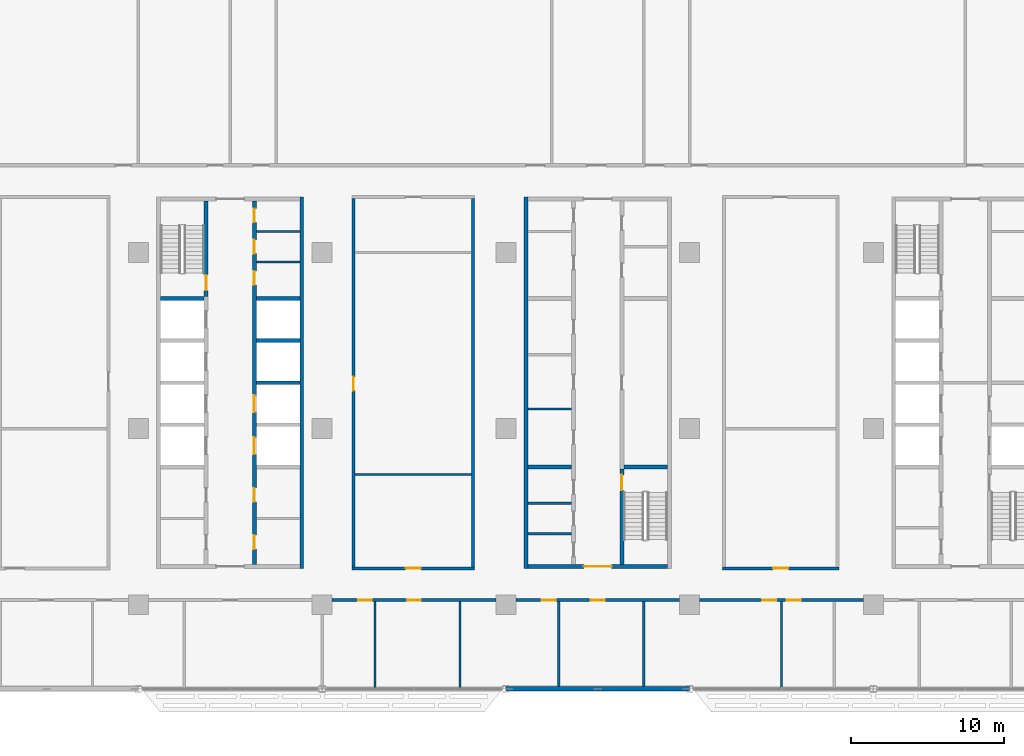
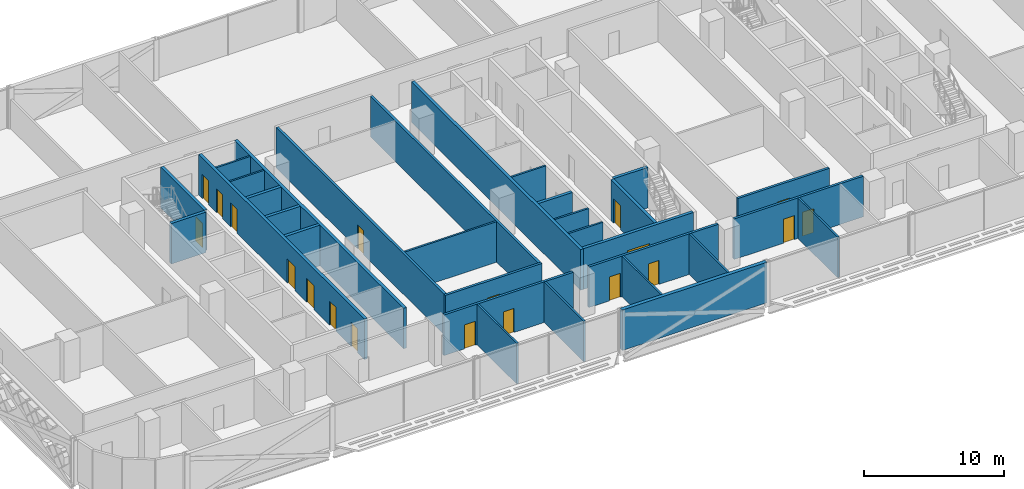
# One storey, part 14 of 29: 31 walls, 19 doors, 19 openings.
"""IFC4 building model written with IfcOpenShell, lengths in metres."""

from ifc_helpers import new_model, si_unit, direction, frame, frame_2d, origin, place, context, subcontext, project, spatial, rectangle, extrude, material, layer, layer_set, type_object, element, fill, save


model = new_model("IFC4")

# Units and contexts
model_context = context("Model", 3, precision=1e-05, world=origin(), true_north=direction((0.0, 1.0)))
body_context = subcontext(model_context, "Body", "Model", "MODEL_VIEW")
ifc_project = project(units=[si_unit("LENGTHUNIT", "METRE"), si_unit("AREAUNIT", "SQUARE_METRE"), si_unit("VOLUMEUNIT", "CUBIC_METRE"), si_unit("PLANEANGLEUNIT", "RADIAN"), si_unit("MASSUNIT", "GRAM", prefix="KILO")], contexts=[model_context])

# Site, building, storey
site_placement = place(None, origin())
site = spatial("IfcSite", under=ifc_project, at=site_placement, CompositionType="ELEMENT")
building_placement = place(site_placement, origin())
building = spatial("IfcBuilding", under=site, at=building_placement, Name="Mahtab Terrace Research Tower", CompositionType="ELEMENT")
storey_placement = place(building_placement, frame((0.0, 0.0, 150.699951171875)))
storey = spatial("IfcBuildingStorey", under=building, at=storey_placement, Name="L35", CompositionType="ELEMENT", Elevation=150.699951171875)

# Walls
ifc_material_1 = material(Name="Gypsum board partition")
ifc_layer_1 = layer(ifc_material_1, 0.14990234375)
ifc_layer_set_1 = layer_set([ifc_layer_1], Name="Core partition 150")
wall_type_1 = type_object("IfcWallType", Name="Core partition 150", PredefinedType="PARTITIONING", material=ifc_layer_set_1)
for number, where, z_axis, x_axis, name in (
    (1, (-22.300048828125, 10.875, 0.0), (0.0, 0.0, 1.0), (1.0, 0.0, 0.0), "Core wall A pEN788"),
    (2, (-22.300048828125, 12.875, 0.0), (0.0, 0.0, 1.0), (1.0, 0.0, 0.0), "Core wall A pEN988"),
    (3, (-4.550048828125, 1.280029296875, 0.0), (0.0, 0.0, 1.0), (1.0, 0.0, 0.0), "Core wall B pWL-172"),
    (4, (-4.550048828125, -6.875, 0.0), (0.0, 0.0, 1.0), (1.0, 0.0, 0.0), "Core wall B pWS-988"),
    (5, (-4.550048828125, -4.875, 0.0), (0.0, 0.0, 1.0), (1.0, 0.0, 0.0), "Core wall B pWS-788"),
):
    element("IfcWall", number, at=place(storey_placement, frame(where, z_axis=z_axis, x_axis=x_axis)), inside=storey, type_object=wall_type_1, Name=name, PredefinedType="PARTITIONING", context=body_context, shape_type="SweptSolid", body=[
        extrude(rectangle(XDim=2.85009765625, YDim=0.14990234375, at=frame_2d((1.425048828125, 0.0))), origin(), (0.0, 0.0, 1.0), 3.550048828125),
    ])
ifc_material_2 = material(Name="Concrete C70/85", Category="concrete")
ifc_layer_2 = layer(ifc_material_2, 0.25)
ifc_layer_set_2 = layer_set([ifc_layer_2], Name="Core wall 250")
wall_type_2 = type_object("IfcWallType", Name="Core wall 250", PredefinedType="SOLIDWALL", material=ifc_layer_set_2)
wall_1_placement = place(storey_placement, frame((-19.324951171875, -9.125, 0.0), z_axis=(0.0, 0.0, 1.0), x_axis=(0.0, 1.0, 0.0)))
element("IfcWall", 6, at=wall_1_placement, inside=storey, type_object=wall_type_2, Name="Core wall A outerE", PredefinedType="SOLIDWALL", context=body_context, shape_type="SweptSolid", body=[
    extrude(rectangle(XDim=24.25, YDim=0.25, at=frame_2d((12.125, 0.0))), origin(), (0.0, 0.0, 1.0), 3.550048828125),
])

# Wall, opening, door
wall_2_placement = place(storey_placement, frame((-25.574951171875, 14.875, 0.0), z_axis=(0.0, 0.0, 1.0), x_axis=(0.0, -1.0, 0.0)))
wall_2 = element("IfcWall", 7, at=wall_2_placement, inside=storey, type_object=wall_type_2, Name="Core wall A innerWN", PredefinedType="SOLIDWALL", context=body_context, shape_type="SweptSolid", body=[
    extrude(rectangle(XDim=6.25, YDim=0.25, at=frame_2d((3.125, 0.0))), origin(), (0.0, 0.0, 1.0), 3.550048828125),
])
opening_1_placement = place(wall_2_placement, frame((4.85009765625, 0.0, 0.0)))
opening_1 = element("IfcOpeningElement", 8, at=opening_1_placement, cuts=wall_2, Name="Opening A-ST1", PredefinedType="OPENING", context=body_context, shape_type="SweptSolid", body=[
    extrude(rectangle(XDim=1.0, YDim=2.10009765625, at=frame_2d((0.5, 1.050048828125))), frame((0.0, 0.135009765625, 0.0), z_axis=(0.0, -1.0, 0.0), x_axis=(1.0, 0.0, 0.0)), (0.0, 0.0, 1.0), 0.27001953125),
])
ifc_material_3 = material(Name="Steel fire door", Category="steel")
door_type_1 = type_object("IfcDoorType", Name="Stair door 1000x2100 1.5 HR", OperationType="NOTDEFINED", PredefinedType="DOOR", material=ifc_material_3)
door_1_placement = place(opening_1_placement, origin())
door_1 = element("IfcDoor", 9, at=door_1_placement, inside=storey, type_object=door_type_1, Name="Stair door ST1 L35", OperationType="SINGLE_SWING_RIGHT", OverallHeight=2.10009765625, OverallWidth=1.0, PredefinedType="DOOR", context=body_context, shape_type="SweptSolid", body=[
    extrude(rectangle(XDim=1.0, YDim=2.10009765625, at=frame_2d((0.5, 1.050048828125))), frame((0.0, 0.02490234375, 0.0), z_axis=(0.0, -1.0, 0.0), x_axis=(1.0, 0.0, 0.0)), (0.0, 0.0, 1.0), 0.050048828125),
])
fill(opening_1, door_1)

# Wall, openings, doors
wall_3_placement = place(storey_placement, frame((-22.425048828125, 14.875, 0.0), z_axis=(0.0, 0.0, 1.0), x_axis=(0.0, -1.0, 0.0)))
wall_3 = element("IfcWall", 10, at=wall_3_placement, inside=storey, type_object=wall_type_2, Name="Core wall A innerESLN", PredefinedType="SOLIDWALL", context=body_context, shape_type="SweptSolid", body=[
    extrude(rectangle(XDim=23.75, YDim=0.25, at=frame_2d((11.875, 0.0))), origin(), (0.0, 0.0, 1.0), 3.550048828125),
])
opening_2_placement = place(wall_3_placement, frame((15.449951171875, 0.0, 0.0)))
opening_2 = element("IfcOpeningElement", 11, at=opening_2_placement, cuts=wall_3, Name="Opening LD05-L35", PredefinedType="OPENING", context=body_context, shape_type="SweptSolid", body=[
    extrude(rectangle(XDim=1.10009765625, YDim=2.10009765625, at=frame_2d((0.550048828125, 1.050048828125))), frame((0.0, 0.135009765625, 0.0), z_axis=(0.0, -1.0, 0.0), x_axis=(1.0, 0.0, 0.0)), (0.0, 0.0, 1.0), 0.27001953125),
])
opening_3_placement = place(wall_3_placement, frame((12.699951171875, 0.0, 0.0)))
opening_3 = element("IfcOpeningElement", 12, at=opening_3_placement, cuts=wall_3, Name="Opening LD06-L35", PredefinedType="OPENING", context=body_context, shape_type="SweptSolid", body=[
    extrude(rectangle(XDim=1.10009765625, YDim=2.10009765625, at=frame_2d((0.550048828125, 1.050048828125))), frame((0.0, 0.135009765625, 0.0), z_axis=(0.0, -1.0, 0.0), x_axis=(1.0, 0.0, 0.0)), (0.0, 0.0, 1.0), 0.27001953125),
])
opening_4_placement = place(wall_3_placement, frame((21.83740234375, 0.0, 0.0)))
opening_4 = element("IfcOpeningElement", 13, at=opening_4_placement, cuts=wall_3, Name="Opening A-R3", PredefinedType="OPENING", context=body_context, shape_type="SweptSolid", body=[
    extrude(rectangle(XDim=0.89990234375, YDim=2.10009765625, at=frame_2d((0.449951171875, 1.050048828125))), frame((0.0, 0.135009765625, 0.0), z_axis=(0.0, -1.0, 0.0), x_axis=(1.0, 0.0, 0.0)), (0.0, 0.0, 1.0), 0.27001953125),
])
opening_5_placement = place(wall_3_placement, frame((18.762451171875, 0.0, 0.0)))
opening_5 = element("IfcOpeningElement", 14, at=opening_5_placement, cuts=wall_3, Name="Opening A-R4", PredefinedType="OPENING", context=body_context, shape_type="SweptSolid", body=[
    extrude(rectangle(XDim=0.89990234375, YDim=2.10009765625, at=frame_2d((0.449951171875, 1.050048828125))), frame((0.0, 0.135009765625, 0.0), z_axis=(0.0, -1.0, 0.0), x_axis=(1.0, 0.0, 0.0)), (0.0, 0.0, 1.0), 0.27001953125),
])
opening_6_placement = place(wall_3_placement, frame((4.58740234375, 0.0, 0.0)))
opening_6 = element("IfcOpeningElement", 15, at=opening_6_placement, cuts=wall_3, Name="Opening A-R5", PredefinedType="OPENING", context=body_context, shape_type="SweptSolid", body=[
    extrude(rectangle(XDim=0.89990234375, YDim=2.10009765625, at=frame_2d((0.449951171875, 1.050048828125))), frame((0.0, 0.135009765625, 0.0), z_axis=(0.0, -1.0, 0.0), x_axis=(1.0, 0.0, 0.0)), (0.0, 0.0, 1.0), 0.27001953125),
])
opening_7_placement = place(wall_3_placement, frame((2.550048828125, 0.0, 0.0)))
opening_7 = element("IfcOpeningElement", 16, at=opening_7_placement, cuts=wall_3, Name="Opening A-R6", PredefinedType="OPENING", context=body_context, shape_type="SweptSolid", body=[
    extrude(rectangle(XDim=0.89990234375, YDim=2.10009765625, at=frame_2d((0.449951171875, 1.050048828125))), frame((0.0, 0.135009765625, 0.0), z_axis=(0.0, -1.0, 0.0), x_axis=(1.0, 0.0, 0.0)), (0.0, 0.0, 1.0), 0.27001953125),
])
opening_8_placement = place(wall_3_placement, frame((0.512451171875, 0.0, 0.0)))
opening_8 = element("IfcOpeningElement", 17, at=opening_8_placement, cuts=wall_3, Name="Opening A-R7", PredefinedType="OPENING", context=body_context, shape_type="SweptSolid", body=[
    extrude(rectangle(XDim=0.89990234375, YDim=2.10009765625, at=frame_2d((0.449951171875, 1.050048828125))), frame((0.0, 0.135009765625, 0.0), z_axis=(0.0, -1.0, 0.0), x_axis=(1.0, 0.0, 0.0)), (0.0, 0.0, 1.0), 0.27001953125),
])
ifc_material_4 = material(Name="Stainless steel AISI 304", Category="steel")
door_type_2 = type_object("IfcDoorType", Name="Landing door 1100x2100", OperationType="DOUBLE_DOOR_SLIDING", PredefinedType="DOOR", material=ifc_material_4)
door_2_placement = place(opening_2_placement, origin())
door_2 = element("IfcDoor", 18, at=door_2_placement, inside=storey, type_object=door_type_2, Name="Landing door LR5 L35", OperationType="DOUBLE_DOOR_SLIDING", OverallHeight=2.10009765625, OverallWidth=1.10009765625, PredefinedType="DOOR", context=body_context, shape_type="SweptSolid", body=[
    extrude(rectangle(XDim=1.10009765625, YDim=2.10009765625, at=frame_2d((0.550048828125, 1.050048828125))), frame((0.0, 0.02490234375, 0.0), z_axis=(0.0, -1.0, 0.0), x_axis=(1.0, 0.0, 0.0)), (0.0, 0.0, 1.0), 0.050048828125),
])
fill(opening_2, door_2)
door_3_placement = place(opening_3_placement, origin())
door_3 = element("IfcDoor", 19, at=door_3_placement, inside=storey, type_object=door_type_2, Name="Landing door LR6 L35", OperationType="DOUBLE_DOOR_SLIDING", OverallHeight=2.10009765625, OverallWidth=1.10009765625, PredefinedType="DOOR", context=body_context, shape_type="SweptSolid", body=[
    extrude(rectangle(XDim=1.10009765625, YDim=2.10009765625, at=frame_2d((0.550048828125, 1.050048828125))), frame((0.0, 0.02490234375, 0.0), z_axis=(0.0, -1.0, 0.0), x_axis=(1.0, 0.0, 0.0)), (0.0, 0.0, 1.0), 0.050048828125),
])
fill(opening_3, door_3)
door_type_3 = type_object("IfcDoorType", Name="Room door 900x2100 1 HR", OperationType="NOTDEFINED", PredefinedType="DOOR", material=ifc_material_3)
door_4_placement = place(opening_4_placement, origin())
door_4 = element("IfcDoor", 20, at=door_4_placement, inside=storey, type_object=door_type_3, Name="Housekeeping store door", OperationType="SINGLE_SWING_LEFT", OverallHeight=2.10009765625, OverallWidth=0.89990234375, PredefinedType="DOOR", context=body_context, shape_type="SweptSolid", body=[
    extrude(rectangle(XDim=0.89990234375, YDim=2.10009765625, at=frame_2d((0.449951171875, 1.050048828125))), frame((0.0, 0.02490234375, 0.0), z_axis=(0.0, -1.0, 0.0), x_axis=(1.0, 0.0, 0.0)), (0.0, 0.0, 1.0), 0.050048828125),
])
fill(opening_4, door_4)
door_5_placement = place(opening_5_placement, origin())
door_5 = element("IfcDoor", 21, at=door_5_placement, inside=storey, type_object=door_type_3, Name="Electrical riser room door", OperationType="SINGLE_SWING_RIGHT", OverallHeight=2.10009765625, OverallWidth=0.89990234375, PredefinedType="DOOR", context=body_context, shape_type="SweptSolid", body=[
    extrude(rectangle(XDim=0.89990234375, YDim=2.10009765625, at=frame_2d((0.449951171875, 1.050048828125))), frame((0.0, 0.02490234375, 0.0), z_axis=(0.0, -1.0, 0.0), x_axis=(1.0, 0.0, 0.0)), (0.0, 0.0, 1.0), 0.050048828125),
])
fill(opening_5, door_5)
door_6_placement = place(opening_6_placement, origin())
door_6 = element("IfcDoor", 22, at=door_6_placement, inside=storey, type_object=door_type_3, Name="Comms riser room door", OperationType="SINGLE_SWING_LEFT", OverallHeight=2.10009765625, OverallWidth=0.89990234375, PredefinedType="DOOR", context=body_context, shape_type="SweptSolid", body=[
    extrude(rectangle(XDim=0.89990234375, YDim=2.10009765625, at=frame_2d((0.449951171875, 1.050048828125))), frame((0.0, 0.02490234375, 0.0), z_axis=(0.0, -1.0, 0.0), x_axis=(1.0, 0.0, 0.0)), (0.0, 0.0, 1.0), 0.050048828125),
])
fill(opening_6, door_6)
door_7_placement = place(opening_7_placement, origin())
door_7 = element("IfcDoor", 23, at=door_7_placement, inside=storey, type_object=door_type_3, Name="Pantry door", OperationType="SINGLE_SWING_RIGHT", OverallHeight=2.10009765625, OverallWidth=0.89990234375, PredefinedType="DOOR", context=body_context, shape_type="SweptSolid", body=[
    extrude(rectangle(XDim=0.89990234375, YDim=2.10009765625, at=frame_2d((0.449951171875, 1.050048828125))), frame((0.0, 0.02490234375, 0.0), z_axis=(0.0, -1.0, 0.0), x_axis=(1.0, 0.0, 0.0)), (0.0, 0.0, 1.0), 0.050048828125),
])
fill(opening_7, door_7)
door_8_placement = place(opening_8_placement, origin())
door_8 = element("IfcDoor", 24, at=door_8_placement, inside=storey, type_object=door_type_3, Name="Cleaners store door", OperationType="SINGLE_SWING_LEFT", OverallHeight=2.10009765625, OverallWidth=0.89990234375, PredefinedType="DOOR", context=body_context, shape_type="SweptSolid", body=[
    extrude(rectangle(XDim=0.89990234375, YDim=2.10009765625, at=frame_2d((0.449951171875, 1.050048828125))), frame((0.0, 0.02490234375, 0.0), z_axis=(0.0, -1.0, 0.0), x_axis=(1.0, 0.0, 0.0)), (0.0, 0.0, 1.0), 0.050048828125),
])
fill(opening_8, door_8)

# Walls
for number, where, z_axis, x_axis, name in (
    (25, (-28.550048828125, 8.5, 0.0), (0.0, 0.0, 1.0), (1.0, 0.0, 0.0), "Core wall A divW4"),
    (26, (-22.300048828125, 3.0, 0.0), (0.0, 0.0, 1.0), (1.0, 0.0, 0.0), "Core wall A divE2"),
    (27, (-22.300048828125, 5.75, 0.0), (0.0, 0.0, 1.0), (1.0, 0.0, 0.0), "Core wall A divE3"),
    (28, (-22.300048828125, 8.5, 0.0), (0.0, 0.0, 1.0), (1.0, 0.0, 0.0), "Core wall A divE4"),
):
    element("IfcWall", number, at=place(storey_placement, frame(where, z_axis=z_axis, x_axis=x_axis)), inside=storey, type_object=wall_type_2, Name=name, PredefinedType="SOLIDWALL", context=body_context, shape_type="SweptSolid", body=[
        extrude(rectangle(XDim=2.85009765625, YDim=0.25, at=frame_2d((1.425048828125, 0.0))), origin(), (0.0, 0.0, 1.0), 3.550048828125),
    ])
wall_4_placement = place(storey_placement, frame((-4.675048828125, 15.125, 0.0), z_axis=(0.0, 0.0, 1.0), x_axis=(0.0, -1.0, 0.0)))
element("IfcWall", 29, at=wall_4_placement, inside=storey, type_object=wall_type_2, Name="Core wall B outerW", PredefinedType="SOLIDWALL", context=body_context, shape_type="SweptSolid", body=[
    extrude(rectangle(XDim=24.25, YDim=0.25, at=frame_2d((12.125, 0.0))), origin(), (0.0, 0.0, 1.0), 3.550048828125),
])

# Wall, opening, door
wall_5_placement = place(storey_placement, frame((4.550048828125, -9.0, 0.0), z_axis=(0.0, 0.0, 1.0), x_axis=(-1.0, 0.0, 0.0)))
wall_5 = element("IfcWall", 30, at=wall_5_placement, inside=storey, type_object=wall_type_2, Name="Core wall B endS", PredefinedType="SOLIDWALL", context=body_context, shape_type="SweptSolid", body=[
    extrude(rectangle(XDim=9.10009765625, YDim=0.25, at=frame_2d((4.550048828125, 0.0))), origin(), (0.0, 0.0, 1.0), 3.550048828125),
])
opening_9_placement = place(wall_5_placement, frame((3.64990234375, 0.0, 0.0)))
opening_9 = element("IfcOpeningElement", 31, at=opening_9_placement, cuts=wall_5, Name="Opening B-S1", PredefinedType="OPENING", context=body_context, shape_type="SweptSolid", body=[
    extrude(rectangle(XDim=1.800048828125, YDim=2.10009765625, at=frame_2d((0.89990234375, 1.050048828125))), frame((0.0, 0.135009765625, 0.0), z_axis=(0.0, -1.0, 0.0), x_axis=(1.0, 0.0, 0.0)), (0.0, 0.0, 1.0), 0.27001953125),
])
door_type_4 = type_object("IfcDoorType", Name="Lobby double door 1800x2100 1 HR", OperationType="DOUBLE_DOOR_SINGLE_SWING", PredefinedType="DOOR", material=ifc_material_3)
door_9_placement = place(opening_9_placement, origin())
door_9 = element("IfcDoor", 32, at=door_9_placement, inside=storey, type_object=door_type_4, Name="Core entrance door B S", OperationType="DOUBLE_DOOR_SINGLE_SWING", OverallHeight=2.10009765625, OverallWidth=1.800048828125, PredefinedType="DOOR", context=body_context, shape_type="SweptSolid", body=[
    extrude(rectangle(XDim=1.800048828125, YDim=2.10009765625, at=frame_2d((0.89990234375, 1.050048828125))), frame((0.0, 0.02490234375, 0.0), z_axis=(0.0, -1.0, 0.0), x_axis=(1.0, 0.0, 0.0)), (0.0, 0.0, 1.0), 0.050048828125),
])
fill(opening_9, door_9)

wall_6_placement = place(storey_placement, frame((1.574951171875, -8.875, 0.0), z_axis=(0.0, 0.0, 1.0), x_axis=(0.0, 1.0, 0.0)))
wall_6 = element("IfcWall", 33, at=wall_6_placement, inside=storey, type_object=wall_type_2, Name="Core wall B innerES", PredefinedType="SOLIDWALL", context=body_context, shape_type="SweptSolid", body=[
    extrude(rectangle(XDim=6.25, YDim=0.25, at=frame_2d((3.125, 0.0))), origin(), (0.0, 0.0, 1.0), 3.550048828125),
])
opening_10_placement = place(wall_6_placement, frame((4.85009765625, 0.0, 0.0)))
opening_10 = element("IfcOpeningElement", 34, at=opening_10_placement, cuts=wall_6, Name="Opening B-ST2", PredefinedType="OPENING", context=body_context, shape_type="SweptSolid", body=[
    extrude(rectangle(XDim=1.0, YDim=2.10009765625, at=frame_2d((0.5, 1.050048828125))), frame((0.0, 0.135009765625, 0.0), z_axis=(0.0, -1.0, 0.0), x_axis=(1.0, 0.0, 0.0)), (0.0, 0.0, 1.0), 0.27001953125),
])
door_10_placement = place(opening_10_placement, origin())
door_10 = element("IfcDoor", 35, at=door_10_placement, inside=storey, type_object=door_type_1, Name="Stair door ST2 L35", OperationType="SINGLE_SWING_RIGHT", OverallHeight=2.10009765625, OverallWidth=1.0, PredefinedType="DOOR", context=body_context, shape_type="SweptSolid", body=[
    extrude(rectangle(XDim=1.0, YDim=2.10009765625, at=frame_2d((0.5, 1.050048828125))), frame((0.0, 0.02490234375, 0.0), z_axis=(0.0, -1.0, 0.0), x_axis=(1.0, 0.0, 0.0)), (0.0, 0.0, 1.0), 0.050048828125),
])
fill(opening_10, door_10)

# Walls
for number, where, z_axis, x_axis, name in (
    (36, (-4.550048828125, -2.5, 0.0), (0.0, 0.0, 1.0), (1.0, 0.0, 0.0), "Core wall B divW0"),
    (37, (1.699951171875, -2.5, 0.0), (0.0, 0.0, 1.0), (1.0, 0.0, 0.0), "Core wall B divE0"),
):
    element("IfcWall", number, at=place(storey_placement, frame(where, z_axis=z_axis, x_axis=x_axis)), inside=storey, type_object=wall_type_2, Name=name, PredefinedType="SOLIDWALL", context=body_context, shape_type="SweptSolid", body=[
        extrude(rectangle(XDim=2.85009765625, YDim=0.25, at=frame_2d((1.425048828125, 0.0))), origin(), (0.0, 0.0, 1.0), 3.550048828125),
    ])
ifc_material_5 = material(Name="Black aluminium cladding panel", Category="aluminium")
ifc_layer_3 = layer(ifc_material_5, 0.300048828125)
ifc_layer_set_3 = layer_set([ifc_layer_3], Name="Opaque facade wall 300")
wall_type_3 = type_object("IfcWallType", Name="Opaque facade wall 300", PredefinedType="NOTDEFINED", material=ifc_layer_set_3)
wall_7_placement = place(storey_placement, frame((-5.982177734375, -17.0, 0.0), z_axis=(0.0, 0.0, 1.0), x_axis=(1.0, 0.0, 0.0)))
element("IfcWall", 38, at=wall_7_placement, inside=storey, type_object=wall_type_3, Name="Opaque facade wall L35 S27", PredefinedType="NOTDEFINED", context=body_context, shape_type="SweptSolid", body=[
    extrude(rectangle(XDim=11.96435546875, YDim=0.300048828125, at=frame_2d((5.982177734375, 0.0))), origin(), (0.0, 0.0, 1.0), 3.550048828125),
])

# Wall, openings, doors
ifc_material_6 = material(Name="Gypsum board corridor wall on steel studs", Category="steel")
ifc_layer_4 = layer(ifc_material_6, 0.199951171875)
ifc_layer_set_4 = layer_set([ifc_layer_4], Name="WALL CORRIDOR 200")
wall_type_4 = type_object("IfcWallType", Name="WALL CORRIDOR 200", PredefinedType="PARTITIONING", material=ifc_layer_set_4)
wall_8_placement = place(storey_placement, frame((-17.35009765625, -11.199951171875, 0.0), z_axis=(0.0, 0.0, 1.0), x_axis=(1.0, 0.0, 0.0)))
wall_8 = element("IfcWall", 39, at=wall_8_placement, inside=storey, type_object=wall_type_4, Name="L35-W004", PredefinedType="PARTITIONING", context=body_context, shape_type="SweptSolid", body=[
    extrude(rectangle(XDim=10.7001953125, YDim=0.199951171875, at=frame_2d((5.35009765625, 0.0))), origin(), (0.0, 0.0, 1.0), 3.550048828125),
])
opening_11_placement = place(wall_8_placement, frame((1.699951171875, 0.0, 0.0)))
opening_11 = element("IfcOpeningElement", 40, at=opening_11_placement, cuts=wall_8, Name="Opening L35-105", PredefinedType="OPENING", context=body_context, shape_type="SweptSolid", body=[
    extrude(rectangle(XDim=0.89990234375, YDim=2.10009765625, at=frame_2d((0.449951171875, 1.050048828125))), frame((0.0, 0.10986328125, 0.0), z_axis=(0.0, -1.0, 0.0), x_axis=(1.0, 0.0, 0.0)), (0.0, 0.0, 1.0), 0.219970703125),
])
opening_12_placement = place(wall_8_placement, frame((4.89990234375, 0.0, 0.0)))
opening_12 = element("IfcOpeningElement", 41, at=opening_12_placement, cuts=wall_8, Name="Opening L35-106", PredefinedType="OPENING", context=body_context, shape_type="SweptSolid", body=[
    extrude(rectangle(XDim=0.89990234375, YDim=2.10009765625, at=frame_2d((0.449951171875, 1.050048828125))), frame((0.0, 0.10986328125, 0.0), z_axis=(0.0, -1.0, 0.0), x_axis=(1.0, 0.0, 0.0)), (0.0, 0.0, 1.0), 0.219970703125),
])
ifc_material_7 = material(Name="Timber door leaf in steel frame", Category="steel")
door_type_5 = type_object("IfcDoorType", Name="DOOR 0900X2100 FD30S", OperationType="SINGLE_SWING_LEFT", PredefinedType="DOOR", material=ifc_material_7)
door_11_placement = place(opening_11_placement, origin())
door_11 = element("IfcDoor", 42, at=door_11_placement, inside=storey, type_object=door_type_5, Name="Door L35-105", OperationType="SINGLE_SWING_RIGHT", OverallHeight=2.10009765625, OverallWidth=0.89990234375, PredefinedType="DOOR", context=body_context, shape_type="SweptSolid", body=[
    extrude(rectangle(XDim=0.89990234375, YDim=2.10009765625, at=frame_2d((0.449951171875, 1.050048828125))), frame((0.0, 0.02490234375, 0.0), z_axis=(0.0, -1.0, 0.0), x_axis=(1.0, 0.0, 0.0)), (0.0, 0.0, 1.0), 0.050048828125),
])
fill(opening_11, door_11)
door_12_placement = place(opening_12_placement, origin())
door_12 = element("IfcDoor", 43, at=door_12_placement, inside=storey, type_object=door_type_5, Name="Door L35-106", OperationType="SINGLE_SWING_LEFT", OverallHeight=2.10009765625, OverallWidth=0.89990234375, PredefinedType="DOOR", context=body_context, shape_type="SweptSolid", body=[
    extrude(rectangle(XDim=0.89990234375, YDim=2.10009765625, at=frame_2d((0.449951171875, 1.050048828125))), frame((0.0, 0.02490234375, 0.0), z_axis=(0.0, -1.0, 0.0), x_axis=(1.0, 0.0, 0.0)), (0.0, 0.0, 1.0), 0.050048828125),
])
fill(opening_12, door_12)

wall_9_placement = place(storey_placement, frame((-5.35009765625, -11.199951171875, 0.0), z_axis=(0.0, 0.0, 1.0), x_axis=(1.0, 0.0, 0.0)))
wall_9 = element("IfcWall", 44, at=wall_9_placement, inside=storey, type_object=wall_type_4, Name="L35-W005", PredefinedType="PARTITIONING", context=body_context, shape_type="SweptSolid", body=[
    extrude(rectangle(XDim=10.7001953125, YDim=0.199951171875, at=frame_2d((5.35009765625, 0.0))), origin(), (0.0, 0.0, 1.0), 3.550048828125),
])
opening_13_placement = place(wall_9_placement, frame((1.699951171875, 0.0, 0.0)))
opening_13 = element("IfcOpeningElement", 45, at=opening_13_placement, cuts=wall_9, Name="Opening L35-107", PredefinedType="OPENING", context=body_context, shape_type="SweptSolid", body=[
    extrude(rectangle(XDim=0.89990234375, YDim=2.10009765625, at=frame_2d((0.449951171875, 1.050048828125))), frame((0.0, 0.10986328125, 0.0), z_axis=(0.0, -1.0, 0.0), x_axis=(1.0, 0.0, 0.0)), (0.0, 0.0, 1.0), 0.219970703125),
])
opening_14_placement = place(wall_9_placement, frame((4.89990234375, 0.0, 0.0)))
opening_14 = element("IfcOpeningElement", 46, at=opening_14_placement, cuts=wall_9, Name="Opening L35-108", PredefinedType="OPENING", context=body_context, shape_type="SweptSolid", body=[
    extrude(rectangle(XDim=0.89990234375, YDim=2.10009765625, at=frame_2d((0.449951171875, 1.050048828125))), frame((0.0, 0.10986328125, 0.0), z_axis=(0.0, -1.0, 0.0), x_axis=(1.0, 0.0, 0.0)), (0.0, 0.0, 1.0), 0.219970703125),
])
door_13_placement = place(opening_13_placement, origin())
door_13 = element("IfcDoor", 47, at=door_13_placement, inside=storey, type_object=door_type_5, Name="Door L35-107", OperationType="SINGLE_SWING_RIGHT", OverallHeight=2.10009765625, OverallWidth=0.89990234375, PredefinedType="DOOR", context=body_context, shape_type="SweptSolid", body=[
    extrude(rectangle(XDim=0.89990234375, YDim=2.10009765625, at=frame_2d((0.449951171875, 1.050048828125))), frame((0.0, 0.02490234375, 0.0), z_axis=(0.0, -1.0, 0.0), x_axis=(1.0, 0.0, 0.0)), (0.0, 0.0, 1.0), 0.050048828125),
])
fill(opening_13, door_13)
door_14_placement = place(opening_14_placement, origin())
door_14 = element("IfcDoor", 48, at=door_14_placement, inside=storey, type_object=door_type_5, Name="Door L35-108", OperationType="SINGLE_SWING_LEFT", OverallHeight=2.10009765625, OverallWidth=0.89990234375, PredefinedType="DOOR", context=body_context, shape_type="SweptSolid", body=[
    extrude(rectangle(XDim=0.89990234375, YDim=2.10009765625, at=frame_2d((0.449951171875, 1.050048828125))), frame((0.0, 0.02490234375, 0.0), z_axis=(0.0, -1.0, 0.0), x_axis=(1.0, 0.0, 0.0)), (0.0, 0.0, 1.0), 0.050048828125),
])
fill(opening_14, door_14)

wall_10_placement = place(storey_placement, frame((6.64990234375, -11.199951171875, 0.0), z_axis=(0.0, 0.0, 1.0), x_axis=(1.0, 0.0, 0.0)))
wall_10 = element("IfcWall", 49, at=wall_10_placement, inside=storey, type_object=wall_type_4, Name="L35-W006", PredefinedType="PARTITIONING", context=body_context, shape_type="SweptSolid", body=[
    extrude(rectangle(XDim=10.7001953125, YDim=0.199951171875, at=frame_2d((5.35009765625, 0.0))), origin(), (0.0, 0.0, 1.0), 3.550048828125),
])
opening_15_placement = place(wall_10_placement, frame((4.10009765625, 0.0, 0.0)))
opening_15 = element("IfcOpeningElement", 50, at=opening_15_placement, cuts=wall_10, Name="Opening L35-109", PredefinedType="OPENING", context=body_context, shape_type="SweptSolid", body=[
    extrude(rectangle(XDim=0.89990234375, YDim=2.10009765625, at=frame_2d((0.449951171875, 1.050048828125))), frame((0.0, 0.10986328125, 0.0), z_axis=(0.0, -1.0, 0.0), x_axis=(1.0, 0.0, 0.0)), (0.0, 0.0, 1.0), 0.219970703125),
])
opening_16_placement = place(wall_10_placement, frame((5.699951171875, 0.0, 0.0)))
opening_16 = element("IfcOpeningElement", 51, at=opening_16_placement, cuts=wall_10, Name="Opening L35-110", PredefinedType="OPENING", context=body_context, shape_type="SweptSolid", body=[
    extrude(rectangle(XDim=0.89990234375, YDim=2.10009765625, at=frame_2d((0.449951171875, 1.050048828125))), frame((0.0, 0.10986328125, 0.0), z_axis=(0.0, -1.0, 0.0), x_axis=(1.0, 0.0, 0.0)), (0.0, 0.0, 1.0), 0.219970703125),
])
door_15_placement = place(opening_15_placement, origin())
door_15 = element("IfcDoor", 52, at=door_15_placement, inside=storey, type_object=door_type_5, Name="Door L35-109", OperationType="SINGLE_SWING_RIGHT", OverallHeight=2.10009765625, OverallWidth=0.89990234375, PredefinedType="DOOR", context=body_context, shape_type="SweptSolid", body=[
    extrude(rectangle(XDim=0.89990234375, YDim=2.10009765625, at=frame_2d((0.449951171875, 1.050048828125))), frame((0.0, 0.02490234375, 0.0), z_axis=(0.0, -1.0, 0.0), x_axis=(1.0, 0.0, 0.0)), (0.0, 0.0, 1.0), 0.050048828125),
])
fill(opening_15, door_15)
door_16_placement = place(opening_16_placement, origin())
door_16 = element("IfcDoor", 53, at=door_16_placement, inside=storey, type_object=door_type_5, Name="Door L35-110", OperationType="SINGLE_SWING_LEFT", OverallHeight=2.10009765625, OverallWidth=0.89990234375, PredefinedType="DOOR", context=body_context, shape_type="SweptSolid", body=[
    extrude(rectangle(XDim=0.89990234375, YDim=2.10009765625, at=frame_2d((0.449951171875, 1.050048828125))), frame((0.0, 0.02490234375, 0.0), z_axis=(0.0, -1.0, 0.0), x_axis=(1.0, 0.0, 0.0)), (0.0, 0.0, 1.0), 0.050048828125),
])
fill(opening_16, door_16)

# Wall, opening, door
wall_11_placement = place(storey_placement, frame((-16.050048828125, -9.125, 0.0), z_axis=(0.0, 0.0, 1.0), x_axis=(1.0, 0.0, 0.0)))
wall_11 = element("IfcWall", 54, at=wall_11_placement, inside=storey, type_object=wall_type_4, Name="L35-W011", PredefinedType="PARTITIONING", context=body_context, shape_type="SweptSolid", body=[
    extrude(rectangle(XDim=8.0, YDim=0.199951171875, at=frame_2d((4.0, 0.0))), origin(), (0.0, 0.0, 1.0), 3.550048828125),
])
opening_17_placement = place(wall_11_placement, frame((3.5, 0.0, 0.0)))
opening_17 = element("IfcOpeningElement", 55, at=opening_17_placement, cuts=wall_11, Name="Opening L35-116", PredefinedType="OPENING", context=body_context, shape_type="SweptSolid", body=[
    extrude(rectangle(XDim=1.0, YDim=2.10009765625, at=frame_2d((0.5, 1.050048828125))), frame((0.0, 0.10986328125, 0.0), z_axis=(0.0, -1.0, 0.0), x_axis=(1.0, 0.0, 0.0)), (0.0, 0.0, 1.0), 0.219970703125),
])
door_type_6 = type_object("IfcDoorType", Name="DOOR 1000X2100 FD30S", OperationType="SINGLE_SWING_LEFT", PredefinedType="DOOR", material=ifc_material_7)
door_17_placement = place(opening_17_placement, origin())
door_17 = element("IfcDoor", 56, at=door_17_placement, inside=storey, type_object=door_type_6, Name="Door L35-116", OperationType="SINGLE_SWING_LEFT", OverallHeight=2.10009765625, OverallWidth=1.0, PredefinedType="DOOR", context=body_context, shape_type="SweptSolid", body=[
    extrude(rectangle(XDim=1.0, YDim=2.10009765625, at=frame_2d((0.5, 1.050048828125))), frame((0.0, 0.02490234375, 0.0), z_axis=(0.0, -1.0, 0.0), x_axis=(1.0, 0.0, 0.0)), (0.0, 0.0, 1.0), 0.050048828125),
])
fill(opening_17, door_17)

wall_12_placement = place(storey_placement, frame((8.14990234375, -9.125, 0.0), z_axis=(0.0, 0.0, 1.0), x_axis=(1.0, 0.0, 0.0)))
wall_12 = element("IfcWall", 57, at=wall_12_placement, inside=storey, type_object=wall_type_4, Name="L35-W012", PredefinedType="PARTITIONING", context=body_context, shape_type="SweptSolid", body=[
    extrude(rectangle(XDim=7.60009765625, YDim=0.199951171875, at=frame_2d((3.800048828125, 0.0))), origin(), (0.0, 0.0, 1.0), 3.550048828125),
])
opening_18_placement = place(wall_12_placement, frame((3.300048828125, 0.0, 0.0)))
opening_18 = element("IfcOpeningElement", 58, at=opening_18_placement, cuts=wall_12, Name="Opening L35-121", PredefinedType="OPENING", context=body_context, shape_type="SweptSolid", body=[
    extrude(rectangle(XDim=1.0, YDim=2.10009765625, at=frame_2d((0.5, 1.050048828125))), frame((0.0, 0.10986328125, 0.0), z_axis=(0.0, -1.0, 0.0), x_axis=(1.0, 0.0, 0.0)), (0.0, 0.0, 1.0), 0.219970703125),
])
door_18_placement = place(opening_18_placement, origin())
door_18 = element("IfcDoor", 59, at=door_18_placement, inside=storey, type_object=door_type_6, Name="Door L35-121", OperationType="SINGLE_SWING_RIGHT", OverallHeight=2.10009765625, OverallWidth=1.0, PredefinedType="DOOR", context=body_context, shape_type="SweptSolid", body=[
    extrude(rectangle(XDim=1.0, YDim=2.10009765625, at=frame_2d((0.5, 1.050048828125))), frame((0.0, 0.02490234375, 0.0), z_axis=(0.0, -1.0, 0.0), x_axis=(1.0, 0.0, 0.0)), (0.0, 0.0, 1.0), 0.050048828125),
])
fill(opening_18, door_18)

wall_13_placement = place(storey_placement, frame((-15.949951171875, -9.02490234375, 0.0), z_axis=(0.0, 0.0, 1.0), x_axis=(0.0, 1.0, 0.0)))
wall_13 = element("IfcWall", 60, at=wall_13_placement, inside=storey, type_object=wall_type_4, Name="L35-W037", PredefinedType="PARTITIONING", context=body_context, shape_type="SweptSolid", body=[
    extrude(rectangle(XDim=24.0498046875, YDim=0.199951171875, at=frame_2d((12.02490234375, 0.0))), origin(), (0.0, 0.0, 1.0), 3.550048828125),
])
opening_19_placement = place(wall_13_placement, frame((11.5, 0.0, 0.0)))
opening_19 = element("IfcOpeningElement", 61, at=opening_19_placement, cuts=wall_13, Name="Opening L35-122", PredefinedType="OPENING", context=body_context, shape_type="SweptSolid", body=[
    extrude(rectangle(XDim=0.89990234375, YDim=2.10009765625, at=frame_2d((0.449951171875, 1.050048828125))), frame((0.0, 0.10986328125, 0.0), z_axis=(0.0, -1.0, 0.0), x_axis=(1.0, 0.0, 0.0)), (0.0, 0.0, 1.0), 0.219970703125),
])
door_19_placement = place(opening_19_placement, origin())
door_19 = element("IfcDoor", 62, at=door_19_placement, inside=storey, type_object=door_type_5, Name="Door L35-122", OperationType="SINGLE_SWING_RIGHT", OverallHeight=2.10009765625, OverallWidth=0.89990234375, PredefinedType="DOOR", context=body_context, shape_type="SweptSolid", body=[
    extrude(rectangle(XDim=0.89990234375, YDim=2.10009765625, at=frame_2d((0.449951171875, 1.050048828125))), frame((0.0, 0.02490234375, 0.0), z_axis=(0.0, -1.0, 0.0), x_axis=(1.0, 0.0, 0.0)), (0.0, 0.0, 1.0), 0.050048828125),
])
fill(opening_19, door_19)

# Walls
wall_14_placement = place(storey_placement, frame((-8.14990234375, -9.02490234375, 0.0), z_axis=(0.0, 0.0, 1.0), x_axis=(0.0, 1.0, 0.0)))
element("IfcWall", 63, at=wall_14_placement, inside=storey, type_object=wall_type_4, Name="L35-W040", PredefinedType="PARTITIONING", context=body_context, shape_type="SweptSolid", body=[
    extrude(rectangle(XDim=24.0498046875, YDim=0.199951171875, at=frame_2d((12.02490234375, 0.0))), origin(), (0.0, 0.0, 1.0), 3.550048828125),
])
ifc_material_8 = material(Name="Gypsum board partition on steel studs", Category="steel")
ifc_layer_5 = layer(ifc_material_8, 0.14990234375)
ifc_layer_set_5 = layer_set([ifc_layer_5], Name="WALL PARTITION 150")
wall_type_5 = type_object("IfcWallType", Name="WALL PARTITION 150", PredefinedType="PARTITIONING", material=ifc_layer_set_5)
wall_15_placement = place(storey_placement, frame((-15.85009765625, -3.0, 0.0), z_axis=(0.0, 0.0, 1.0), x_axis=(1.0, 0.0, 0.0)))
element("IfcWall", 64, at=wall_15_placement, inside=storey, type_object=wall_type_5, Name="L35-W014", PredefinedType="PARTITIONING", context=body_context, shape_type="SweptSolid", body=[
    extrude(rectangle(XDim=7.60009765625, YDim=0.14990234375, at=frame_2d((3.800048828125, 0.0))), origin(), (0.0, 0.0, 1.0), 3.550048828125),
])
for number, where, z_axis, x_axis, name in (
    (65, (-14.550048828125, -16.97509765625, 0.0), (0.0, 0.0, 1.0), (0.0, 1.0, 0.0), "L35-W038"),
    (66, (-9.0, -16.97509765625, 0.0), (0.0, 0.0, 1.0), (0.0, 1.0, 0.0), "L35-W039"),
):
    element("IfcWall", number, at=place(storey_placement, frame(where, z_axis=z_axis, x_axis=x_axis)), inside=storey, type_object=wall_type_5, Name=name, PredefinedType="PARTITIONING", context=body_context, shape_type="SweptSolid", body=[
        extrude(rectangle(XDim=5.675048828125, YDim=0.14990234375, at=frame_2d((2.83740234375, 0.0))), origin(), (0.0, 0.0, 1.0), 3.550048828125),
    ])
for number, where, z_axis, x_axis, name in (
    (67, (-2.550048828125, -16.85009765625, 0.0), (0.0, 0.0, 1.0), (0.0, 1.0, 0.0), "L35-W042"),
    (68, (3.0, -16.85009765625, 0.0), (0.0, 0.0, 1.0), (0.0, 1.0, 0.0), "L35-W043"),
):
    element("IfcWall", number, at=place(storey_placement, frame(where, z_axis=z_axis, x_axis=x_axis)), inside=storey, type_object=wall_type_5, Name=name, PredefinedType="PARTITIONING", context=body_context, shape_type="SweptSolid", body=[
        extrude(rectangle(XDim=5.550048828125, YDim=0.14990234375, at=frame_2d((2.77490234375, 0.0))), origin(), (0.0, 0.0, 1.0), 3.550048828125),
    ])
wall_16_placement = place(storey_placement, frame((12.0, -16.97509765625, 0.0), z_axis=(0.0, 0.0, 1.0), x_axis=(0.0, 1.0, 0.0)))
element("IfcWall", 69, at=wall_16_placement, inside=storey, type_object=wall_type_5, Name="L35-W047", PredefinedType="PARTITIONING", context=body_context, shape_type="SweptSolid", body=[
    extrude(rectangle(XDim=5.675048828125, YDim=0.14990234375, at=frame_2d((2.83740234375, 0.0))), origin(), (0.0, 0.0, 1.0), 3.550048828125),
])

save(model, "model.ifc")
